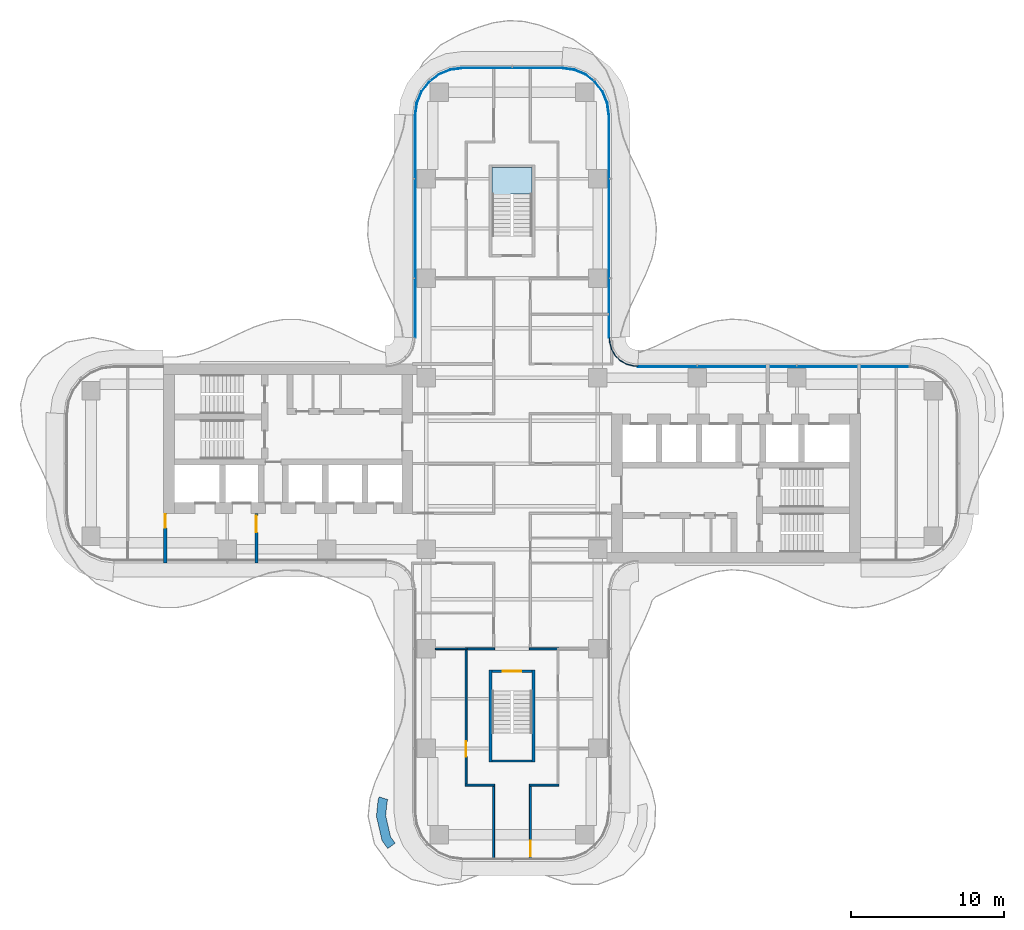
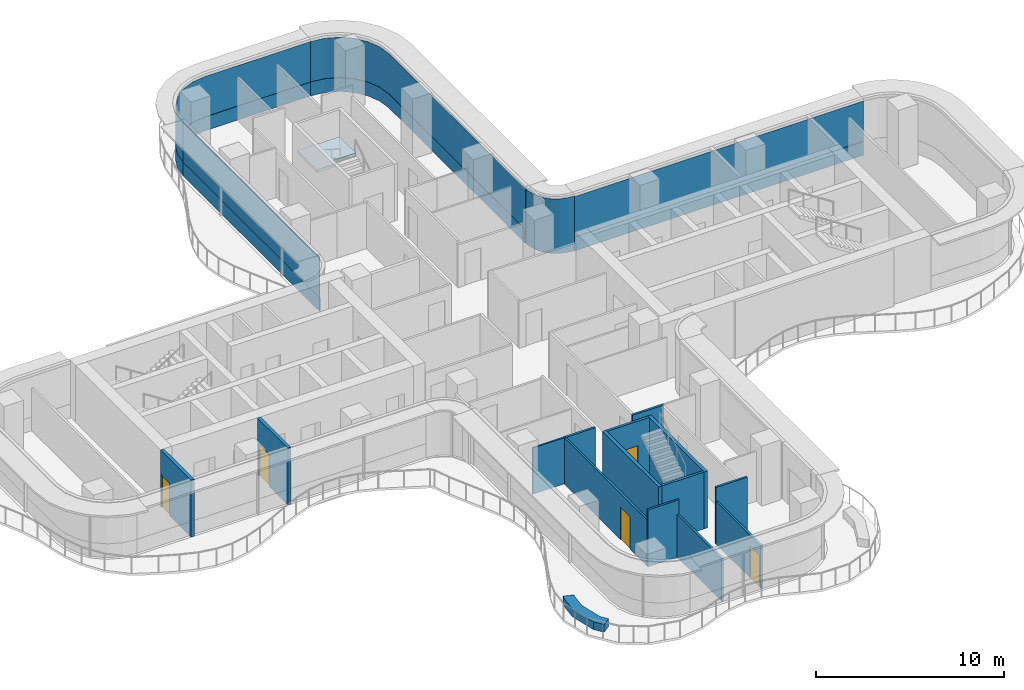
# One storey, part 12 of 18: 15 walls, 9 plates, 5 doors, 1 slab, 5 openings, 6 elements without a shape of their own.
"""IFC4 building model written with IfcOpenShell, lengths in metres."""

from ifc_helpers import new_model, si_unit, direction, frame, frame_2d, origin, place, context, subcontext, project, spatial, polyline, rectangle, outline, extrude, source, transform, mapped, material, layer, layer_set, type_object, element, fill, aggregate, save


model = new_model("IFC4")

# Units and contexts
model_context = context("Model", 3, precision=1e-05, world=origin(), true_north=direction((0.0, 1.0)))
body_context = subcontext(model_context, "Body", "Model", "MODEL_VIEW")
ifc_project = project(units=[si_unit("LENGTHUNIT", "METRE"), si_unit("AREAUNIT", "SQUARE_METRE"), si_unit("VOLUMEUNIT", "CUBIC_METRE"), si_unit("PLANEANGLEUNIT", "RADIAN"), si_unit("MASSUNIT", "GRAM", prefix="KILO")], contexts=[model_context])

# Site, building, storey
site_placement = place(None, origin())
site = spatial("IfcSite", under=ifc_project, at=site_placement, CompositionType="ELEMENT")
building_placement = place(site_placement, origin())
building = spatial("IfcBuilding", under=site, at=building_placement, Name="Trellis Farm Tower", CompositionType="ELEMENT")
storey_placement = place(building_placement, frame((0.0, 0.0, 177.60009765625)))
storey = spatial("IfcBuildingStorey", under=building, at=storey_placement, Name="L38", CompositionType="ELEMENT", Elevation=177.60009765625)

# Stair, slab
ifc_material_1 = material(Name="Concrete C50/60", Category="concrete")
stair_type = type_object("IfcStairType", Name="CORE EXIT STAIR 22 RISERS 177 MM", PredefinedType="HALF_TURN_STAIR", material=ifc_material_1)
placement_1 = place(storey_placement, origin())
stair = element("IfcStair", 1, at=placement_1, inside=storey, type_object=stair_type, Name="Exit stair N", PredefinedType="HALF_TURN_STAIR")
ifc_layer_1 = layer(ifc_material_1, 0.18994140625)
ifc_layer_set_1 = layer_set([ifc_layer_1], Name="CORE STAIR LANDING 190 CONCRETE C50/60")
slab_type = type_object("IfcSlabType", Name="CORE STAIR LANDING 190 CONCRETE C50/60", PredefinedType="LANDING", material=ifc_layer_set_1)
shared_shape_1 = source(origin(), body_context, "Body", "SweptSolid", [
    extrude(outline(polyline([(-0.10009765625, 17.27197265625), (-1.300048828125, 17.27197265625), (-1.300048828125, 17.60009765625), (-1.300048828125, 19.35009765625), (1.300048828125, 19.35009765625), (1.300048828125, 17.60009765625), (1.300048828125, 17.590087890625), (0.10009765625, 17.590087890625), (0.10009765625, 17.60009765625), (-0.10009765625, 17.60009765625), (-0.10009765625, 17.27197265625)])), origin(), (0.0, 0.0, 1.0), 0.18994140625),
])
slab_placement = place(storey_placement, frame((0.0, 0.0, 1.760009765625)))
slab = element("IfcSlab", 2, at=slab_placement, type_object=slab_type, Name="STN landing 1", PredefinedType="LANDING", context=body_context, shape_type="MappedRepresentation", body=[
    mapped(shared_shape_1, transform((0.0, 0.0, 0.0))),
])
aggregate(stair, [slab])

# Curtain wall, plate
ifc_material_2 = material(Name="Aluminium and glass curtain wall", Category="aluminium")
ifc_layer_2 = layer(ifc_material_2, 0.18994140625)
ifc_layer_set_2 = layer_set([ifc_layer_2], Name="RIBBON CURTAIN WALL CW1")
curtain_wall_type_1 = type_object("IfcCurtainWallType", Name="RIBBON CURTAIN WALL CW1", PredefinedType="NOTDEFINED", material=ifc_layer_set_2)
curtain_wall_1 = element("IfcCurtainWall", 3, at=placement_1, inside=storey, type_object=curtain_wall_type_1, Name="CW1 009", PredefinedType="NOTDEFINED")
ifc_material_3 = material(Name="Sandstone faced insulated panel", Category="masonry")
ifc_layer_3 = layer(ifc_material_3, 0.050048828125)
ifc_layer_set_3 = layer_set([ifc_layer_3], Name="CW1 STONE SPANDREL PANEL 50")
plate_type_1 = type_object("IfcPlateType", Name="CW1 STONE SPANDREL PANEL 50", PredefinedType="CURTAIN_PANEL", material=ifc_layer_set_3)
shared_shape_2 = source(origin(), body_context, "Body", "SweptSolid", [
    extrude(outline(polyline([(6.35009765625, 8.2265625), (6.35009765625, 22.740234375), (6.2431640625, 23.552001953125), (5.93359375, 24.29931640625), (5.441162109375, 24.941162109375), (4.79931640625, 25.43359375), (4.052001953125, 25.7431640625), (3.240234375, 25.85009765625), (3.23681640625, 25.800048828125), (4.0390625, 25.6943359375), (4.774169921875, 25.389892578125), (5.405517578125, 24.905517578125), (5.889892578125, 24.274169921875), (6.1943359375, 23.5390625), (6.300048828125, 22.73681640625), (6.300048828125, 8.224853515625), (6.35009765625, 8.2265625)])), origin(), (0.0, 0.0, 1.0), 0.89990234375),
])
plate_1 = element("IfcPlate", 4, at=placement_1, type_object=plate_type_1, Name="PS1 009", PredefinedType="CURTAIN_PANEL", context=body_context, shape_type="MappedRepresentation", body=[
    mapped(shared_shape_2, transform((0.0, 0.0, 0.0))),
])

curtain_wall_2 = element("IfcCurtainWall", 5, at=placement_1, inside=storey, type_object=curtain_wall_type_1, Name="CW1 011", PredefinedType="NOTDEFINED")
shared_shape_3 = source(origin(), body_context, "Body", "SweptSolid", [
    extrude(outline(polyline([(-6.35009765625, 22.740234375), (-6.35009765625, 8.2265625), (-6.300048828125, 8.224853515625), (-6.300048828125, 22.73681640625), (-6.35009765625, 22.740234375)])), origin(), (0.0, 0.0, 1.0), 0.89990234375),
])
plate_2 = element("IfcPlate", 6, at=placement_1, type_object=plate_type_1, Name="PS1 011", PredefinedType="CURTAIN_PANEL", context=body_context, shape_type="MappedRepresentation", body=[
    mapped(shared_shape_3, transform((0.0, 0.0, 0.0))),
])

curtain_wall_3 = element("IfcCurtainWall", 7, at=placement_1, inside=storey, type_object=curtain_wall_type_1, Name="CW1 010", PredefinedType="NOTDEFINED")
shared_shape_4 = source(origin(), body_context, "Body", "SweptSolid", [
    extrude(outline(polyline([(3.240234375, 25.85009765625), (-3.240234375, 25.85009765625), (-4.052001953125, 25.7431640625), (-4.79931640625, 25.43359375), (-5.441162109375, 24.941162109375), (-5.93359375, 24.29931640625), (-6.2431640625, 23.552001953125), (-6.35009765625, 22.740234375), (-6.300048828125, 22.73681640625), (-6.1943359375, 23.5390625), (-5.889892578125, 24.274169921875), (-5.405517578125, 24.905517578125), (-4.774169921875, 25.389892578125), (-4.0390625, 25.6943359375), (-3.23681640625, 25.800048828125), (3.23681640625, 25.800048828125), (3.240234375, 25.85009765625)])), origin(), (0.0, 0.0, 1.0), 0.89990234375),
])
plate_3 = element("IfcPlate", 8, at=placement_1, type_object=plate_type_1, Name="PS1 010", PredefinedType="CURTAIN_PANEL", context=body_context, shape_type="MappedRepresentation", body=[
    mapped(shared_shape_4, transform((0.0, 0.0, 0.0))),
])

# Curtain wall, plates
curtain_wall_4 = element("IfcCurtainWall", 9, at=placement_1, inside=storey, type_object=curtain_wall_type_1, Name="CW1 008", PredefinedType="NOTDEFINED")
shared_shape_5 = source(origin(), body_context, "Body", "SweptSolid", [
    extrude(outline(polyline([(25.990234375, 6.35009765625), (8.2265625, 6.35009765625), (8.224853515625, 6.300048828125), (25.98681640625, 6.300048828125), (25.990234375, 6.35009765625)])), origin(), (0.0, 0.0, 1.0), 0.89990234375),
])
plate_4 = element("IfcPlate", 10, at=placement_1, type_object=plate_type_1, Name="PS1 008", PredefinedType="CURTAIN_PANEL", context=body_context, shape_type="MappedRepresentation", body=[
    mapped(shared_shape_5, transform((0.0, 0.0, 0.0))),
])
ifc_material_4 = material(Name="Clear insulated glass", Category="glass")
ifc_layer_4 = layer(ifc_material_4, 0.0400390625)
ifc_layer_set_4 = layer_set([ifc_layer_4], Name="CW1 GLASS PANEL 40")
plate_type_2 = type_object("IfcPlateType", Name="CW1 GLASS PANEL 40", PredefinedType="CURTAIN_PANEL", material=ifc_layer_set_4)
shared_shape_6 = source(origin(), body_context, "Body", "SweptSolid", [
    extrude(outline(polyline([(25.990234375, 6.35009765625), (8.2265625, 6.35009765625), (8.22509765625, 6.31005859375), (25.987548828125, 6.31005859375), (25.990234375, 6.35009765625)])), origin(), (0.0, 0.0, 1.0), 2.6201171875),
])
placement_2 = place(storey_placement, frame((0.0, 0.0, 0.89990234375)))
plate_5 = element("IfcPlate", 11, at=placement_2, type_object=plate_type_2, Name="PL1 008", PredefinedType="CURTAIN_PANEL", context=body_context, shape_type="MappedRepresentation", body=[
    mapped(shared_shape_6, transform((0.0, 0.0, 0.0))),
])
aggregate(curtain_wall_4, [plate_5, plate_4])

# Plate
shared_shape_7 = source(origin(), body_context, "Body", "SweptSolid", [
    extrude(outline(polyline([(6.35009765625, 8.2265625), (6.35009765625, 22.740234375), (6.2431640625, 23.552001953125), (5.93359375, 24.29931640625), (5.441162109375, 24.941162109375), (4.79931640625, 25.43359375), (4.052001953125, 25.7431640625), (3.240234375, 25.85009765625), (3.237548828125, 25.81005859375), (4.04150390625, 25.7041015625), (4.779296875, 25.398681640625), (5.41259765625, 24.91259765625), (5.898681640625, 24.279296875), (6.2041015625, 23.54150390625), (6.31005859375, 22.737548828125), (6.31005859375, 8.22509765625), (6.35009765625, 8.2265625)])), origin(), (0.0, 0.0, 1.0), 2.6201171875),
])
plate_6 = element("IfcPlate", 12, at=placement_2, type_object=plate_type_2, Name="PL1 009", PredefinedType="CURTAIN_PANEL", context=body_context, shape_type="MappedRepresentation", body=[
    mapped(shared_shape_7, transform((0.0, 0.0, 0.0))),
])

aggregate(curtain_wall_1, [plate_6, plate_1])

shared_shape_8 = source(origin(), body_context, "Body", "SweptSolid", [
    extrude(outline(polyline([(3.240234375, 25.85009765625), (-3.240234375, 25.85009765625), (-4.052001953125, 25.7431640625), (-4.79931640625, 25.43359375), (-5.441162109375, 24.941162109375), (-5.93359375, 24.29931640625), (-6.2431640625, 23.552001953125), (-6.35009765625, 22.740234375), (-6.31005859375, 22.737548828125), (-6.2041015625, 23.54150390625), (-5.898681640625, 24.279296875), (-5.41259765625, 24.91259765625), (-4.779296875, 25.398681640625), (-4.04150390625, 25.7041015625), (-3.237548828125, 25.81005859375), (3.237548828125, 25.81005859375), (3.240234375, 25.85009765625)])), origin(), (0.0, 0.0, 1.0), 2.6201171875),
])
plate_7 = element("IfcPlate", 13, at=placement_2, type_object=plate_type_2, Name="PL1 010", PredefinedType="CURTAIN_PANEL", context=body_context, shape_type="MappedRepresentation", body=[
    mapped(shared_shape_8, transform((0.0, 0.0, 0.0))),
])

aggregate(curtain_wall_3, [plate_7, plate_3])

shared_shape_9 = source(origin(), body_context, "Body", "SweptSolid", [
    extrude(outline(polyline([(-6.35009765625, 22.740234375), (-6.35009765625, 8.2265625), (-6.31005859375, 8.22509765625), (-6.31005859375, 22.737548828125), (-6.35009765625, 22.740234375)])), origin(), (0.0, 0.0, 1.0), 2.6201171875),
])
plate_8 = element("IfcPlate", 14, at=placement_2, type_object=plate_type_2, Name="PL1 011", PredefinedType="CURTAIN_PANEL", context=body_context, shape_type="MappedRepresentation", body=[
    mapped(shared_shape_9, transform((0.0, 0.0, 0.0))),
])

aggregate(curtain_wall_2, [plate_8, plate_2])

# Curtain wall, plate
ifc_layer_5 = layer(ifc_material_2, 0.166015625)
ifc_layer_set_5 = layer_set([ifc_layer_5], Name="WINTER GARDEN CURTAIN WALL CW3")
curtain_wall_type_2 = type_object("IfcCurtainWallType", Name="WINTER GARDEN CURTAIN WALL CW3", PredefinedType="NOTDEFINED", material=ifc_layer_set_5)
curtain_wall_5 = element("IfcCurtainWall", 15, at=placement_1, inside=storey, type_object=curtain_wall_type_2, Name="CW3 003", PredefinedType="NOTDEFINED")
ifc_layer_6 = layer(ifc_material_4, 0.0458984375)
ifc_layer_set_6 = layer_set([ifc_layer_6], Name="CW3 GLASS PANEL 46")
plate_type_3 = type_object("IfcPlateType", Name="CW3 GLASS PANEL 46", PredefinedType="CURTAIN_PANEL", material=ifc_layer_set_6)
shared_shape_10 = source(origin(), body_context, "Body", "SweptSolid", [
    extrude(outline(polyline([(8.2275390625, 6.3798828125), (8.0078125, 6.394287109375), (7.89208984375, 6.40966796875), (7.462158203125, 6.52490234375), (7.070556640625, 6.7509765625), (6.7509765625, 7.070556640625), (6.52490234375, 7.462158203125), (6.40966796875, 7.89208984375), (6.394287109375, 8.0078125), (6.3798828125, 8.2275390625), (6.333984375, 8.22607421875), (6.3486328125, 8.003173828125), (6.364501953125, 7.883056640625), (6.48193359375, 7.4443359375), (6.714111328125, 7.04248046875), (7.04248046875, 6.714111328125), (7.4443359375, 6.48193359375), (7.883056640625, 6.364501953125), (8.003173828125, 6.3486328125), (8.22607421875, 6.333984375), (8.2275390625, 6.3798828125)])), origin(), (0.0, 0.0, 1.0), 3.5498046875),
])
plate_9 = element("IfcPlate", 16, at=placement_1, type_object=plate_type_3, Name="PL3 003", PredefinedType="CURTAIN_PANEL", context=body_context, shape_type="MappedRepresentation", body=[
    mapped(shared_shape_10, transform((0.0, 0.0, 0.0))),
])
aggregate(curtain_wall_5, [plate_9])

# Wall
ifc_material_5 = material(Name="Sandstone faced masonry planter", Category="masonry")
ifc_layer_7 = layer(ifc_material_5, 0.60009765625)
ifc_layer_set_7 = layer_set([ifc_layer_7], Name="PLANTER BED 600")
wall_type_1 = type_object("IfcWallType", Name="PLANTER BED 600", PredefinedType="USERDEFINED", material=ifc_layer_set_7)
element("IfcWall", 17, at=placement_1, inside=storey, type_object=wall_type_1, Name="PLANTER bed", ObjectType="PLANTER", PredefinedType="USERDEFINED", context=body_context, shape_type="SweptSolid", body=[
    extrude(outline(polyline([(-8.85888671875, -23.036865234375), (-8.752197265625, -21.977294921875), (-8.686279296875, -21.767578125), (-8.11376953125, -21.947509765625), (-8.161376953125, -22.0986328125), (-8.251953125, -22.998291015625), (-7.931396484375, -24.382568359375), (-7.63134765625, -24.79541015625), (-8.116455078125, -25.148193359375), (-8.48828125, -24.63671875), (-8.85888671875, -23.036865234375)])), origin(), (0.0, 0.0, 1.0), 0.5),
])

# Wall, opening, door
ifc_material_6 = material(Name="Masonry blockwork", Category="masonry")
ifc_layer_8 = layer(ifc_material_6, 0.199951171875)
ifc_layer_set_8 = layer_set([ifc_layer_8], Name="FIRE LOBBY PARTITION 200 BLOCKWORK")
wall_type_2 = type_object("IfcWallType", Name="FIRE LOBBY PARTITION 200 BLOCKWORK", PredefinedType="PARTITIONING", material=ifc_layer_set_8)
shared_shape_11 = source(origin(), body_context, "Body", "SweptSolid", [
    extrude(rectangle(XDim=3.25, YDim=0.199951171875, at=frame_2d((1.625, 0.0))), origin(), (0.0, 0.0, 1.0), 3.699951171875),
])
wall_2_placement = place(storey_placement, frame((-16.699951171875, -3.25, 0.0), z_axis=(0.0, 0.0, 1.0), x_axis=(0.0, -1.0, 0.0)))
wall_2 = element("IfcWall", 18, at=wall_2_placement, inside=storey, type_object=wall_type_2, Name="Fire-fighting lobby partition", PredefinedType="PARTITIONING", context=body_context, shape_type="MappedRepresentation", body=[
    mapped(shared_shape_11, transform((0.0, 0.0, 0.0))),
])
shared_shape_12 = source(origin(), body_context, "Body", "SweptSolid", [
    extrude(rectangle(XDim=1.10009765625, YDim=2.10009765625, at=frame_2d((0.550048828125, 1.050048828125))), frame((0.0, 0.110107421875, 0.0), z_axis=(0.0, -1.0, 0.0), x_axis=(1.0, 0.0, 0.0)), (0.0, 0.0, 1.0), 0.22021484375),
])
opening_1_placement = place(wall_2_placement, frame((0.14990234375, 0.0, 0.0)))
opening_1 = element("IfcOpeningElement", 19, at=opening_1_placement, cuts=wall_2, Name="Opening DC93", PredefinedType="OPENING", context=body_context, shape_type="MappedRepresentation", body=[
    mapped(shared_shape_12, transform((0.0, 0.0, 0.0))),
])
ifc_material_7 = material(Name="Steel", Category="steel")
door_type_1 = type_object("IfcDoorType", Name="CORE FIRE DOOR 1100 X 2100", OperationType="NOTDEFINED", PredefinedType="DOOR", material=ifc_material_7)
shared_shape_13 = source(origin(), body_context, "Body", "SweptSolid", [
    extrude(rectangle(XDim=1.10009765625, YDim=2.10009765625, at=frame_2d((0.550048828125, 1.050048828125))), frame((0.0, 0.02490234375, 0.0), z_axis=(0.0, -1.0, 0.0), x_axis=(1.0, 0.0, 0.0)), (0.0, 0.0, 1.0), 0.050048828125),
])
door_1_placement = place(opening_1_placement, origin())
door_1 = element("IfcDoor", 20, at=door_1_placement, inside=storey, type_object=door_type_1, Name="Core door", OperationType="SINGLE_SWING_RIGHT", OverallHeight=2.10009765625, OverallWidth=1.10009765625, PredefinedType="DOOR", context=body_context, shape_type="MappedRepresentation", body=[
    mapped(shared_shape_13, transform((0.0, 0.0, 0.0))),
])
fill(opening_1, door_1)

wall_3_placement = place(storey_placement, frame((-22.64990234375, -3.25, 0.0), z_axis=(0.0, 0.0, 1.0), x_axis=(0.0, -1.0, 0.0)))
wall_3 = element("IfcWall", 21, at=wall_3_placement, inside=storey, type_object=wall_type_2, Name="Fire-fighting lobby partition", PredefinedType="PARTITIONING", context=body_context, shape_type="MappedRepresentation", body=[
    mapped(shared_shape_11, transform((0.0, 0.0, 0.0))),
])
shared_shape_14 = source(origin(), body_context, "Body", "SweptSolid", [
    extrude(rectangle(XDim=0.89990234375, YDim=2.10009765625, at=frame_2d((0.449951171875, 1.050048828125))), frame((0.0, 0.110107421875, 0.0), z_axis=(0.0, -1.0, 0.0), x_axis=(1.0, 0.0, 0.0)), (0.0, 0.0, 1.0), 0.22021484375),
])
opening_2_placement = place(wall_3_placement, frame((0.050048828125, 0.0, 0.0)))
opening_2 = element("IfcOpeningElement", 22, at=opening_2_placement, cuts=wall_3, Name="Opening DC94", PredefinedType="OPENING", context=body_context, shape_type="MappedRepresentation", body=[
    mapped(shared_shape_14, transform((0.0, 0.0, 0.0))),
])
door_type_2 = type_object("IfcDoorType", Name="CORE FIRE DOOR 900 X 2100", OperationType="NOTDEFINED", PredefinedType="DOOR", material=ifc_material_7)
shared_shape_15 = source(origin(), body_context, "Body", "SweptSolid", [
    extrude(rectangle(XDim=0.89990234375, YDim=2.10009765625, at=frame_2d((0.449951171875, 1.050048828125))), frame((0.0, 0.02490234375, 0.0), z_axis=(0.0, -1.0, 0.0), x_axis=(1.0, 0.0, 0.0)), (0.0, 0.0, 1.0), 0.050048828125),
])
door_2_placement = place(opening_2_placement, origin())
door_2 = element("IfcDoor", 23, at=door_2_placement, inside=storey, type_object=door_type_2, Name="Core door", OperationType="SINGLE_SWING_RIGHT", OverallHeight=2.10009765625, OverallWidth=0.89990234375, PredefinedType="DOOR", context=body_context, shape_type="MappedRepresentation", body=[
    mapped(shared_shape_15, transform((0.0, 0.0, 0.0))),
])
fill(opening_2, door_2)

# Walls
ifc_material_8 = material(Name="Concrete C70/85", Category="concrete")
ifc_layer_9 = layer(ifc_material_8, 0.199951171875)
ifc_layer_set_9 = layer_set([ifc_layer_9], Name="CORE STAIR ENCLOSURE WALL 200 CONCRETE C70/85")
wall_type_3 = type_object("IfcWallType", Name="CORE STAIR ENCLOSURE WALL 200 CONCRETE C70/85", PredefinedType="SHEAR", material=ifc_layer_set_9)
shared_shape_16 = source(origin(), body_context, "Body", "SweptSolid", [
    extrude(rectangle(XDim=6.0, YDim=0.199951171875, at=frame_2d((3.0, 0.0))), origin(), (0.0, 0.0, 1.0), 3.699951171875),
])
for number, where, z_axis, x_axis, name in (
    (24, (1.39990234375, -13.5, 0.0), (0.0, 0.0, 1.0), (0.0, -1.0, 0.0), "Stair enclosure wall"),
    (25, (-1.39990234375, -13.5, 0.0), (0.0, 0.0, 1.0), (0.0, -1.0, 0.0), "Stair enclosure wall"),
):
    element("IfcWall", number, at=place(storey_placement, frame(where, z_axis=z_axis, x_axis=x_axis)), inside=storey, type_object=wall_type_3, Name=name, PredefinedType="SHEAR", context=body_context, shape_type="MappedRepresentation", body=[
        mapped(shared_shape_16, transform((0.0, 0.0, 0.0))),
    ])

# Wall, opening, door
ifc_layer_10 = layer(ifc_material_8, 0.14990234375)
ifc_layer_set_10 = layer_set([ifc_layer_10], Name="CORE STAIR ENCLOSURE WALL 150 CONCRETE C70/85")
wall_type_4 = type_object("IfcWallType", Name="CORE STAIR ENCLOSURE WALL 150 CONCRETE C70/85", PredefinedType="SHEAR", material=ifc_layer_set_10)
shared_shape_17 = source(origin(), body_context, "Body", "SweptSolid", [
    extrude(rectangle(XDim=2.60009765625, YDim=0.14990234375, at=frame_2d((1.300048828125, 0.0))), origin(), (0.0, 0.0, 1.0), 3.699951171875),
])
wall_4_placement = place(storey_placement, frame((1.300048828125, -13.574951171875, 0.0), z_axis=(0.0, 0.0, 1.0), x_axis=(-1.0, 0.0, 0.0)))
wall_4 = element("IfcWall", 26, at=wall_4_placement, inside=storey, type_object=wall_type_4, Name="Stair enclosure wall", PredefinedType="SHEAR", context=body_context, shape_type="MappedRepresentation", body=[
    mapped(shared_shape_17, transform((0.0, 0.0, 0.0))),
])
shared_shape_18 = source(origin(), body_context, "Body", "SweptSolid", [
    extrude(rectangle(XDim=1.199951171875, YDim=2.10009765625, at=frame_2d((0.60009765625, 1.050048828125))), frame((0.0, 0.0849609375, 0.0), z_axis=(0.0, -1.0, 0.0), x_axis=(1.0, 0.0, 0.0)), (0.0, 0.0, 1.0), 0.169921875),
])
opening_3_placement = place(wall_4_placement, frame((0.699951171875, 0.0, 0.0)))
opening_3 = element("IfcOpeningElement", 27, at=opening_3_placement, cuts=wall_4, Name="Opening DC174", PredefinedType="OPENING", context=body_context, shape_type="MappedRepresentation", body=[
    mapped(shared_shape_18, transform((0.0, 0.0, 0.0))),
])
door_type_3 = type_object("IfcDoorType", Name="CORE FIRE DOOR 1200 X 2100", OperationType="NOTDEFINED", PredefinedType="DOOR", material=ifc_material_7)
shared_shape_19 = source(origin(), body_context, "Body", "SweptSolid", [
    extrude(rectangle(XDim=1.199951171875, YDim=2.10009765625, at=frame_2d((0.60009765625, 1.050048828125))), frame((0.0, 0.02490234375, 0.0), z_axis=(0.0, -1.0, 0.0), x_axis=(1.0, 0.0, 0.0)), (0.0, 0.0, 1.0), 0.050048828125),
])
door_3_placement = place(opening_3_placement, origin())
door_3 = element("IfcDoor", 28, at=door_3_placement, inside=storey, type_object=door_type_3, Name="Core door", OperationType="SINGLE_SWING_RIGHT", OverallHeight=2.10009765625, OverallWidth=1.199951171875, PredefinedType="DOOR", context=body_context, shape_type="MappedRepresentation", body=[
    mapped(shared_shape_19, transform((0.0, 0.0, 0.0))),
])
fill(opening_3, door_3)

# Walls
wall_5_placement = place(storey_placement, frame((1.300048828125, -19.425048828125, 0.0), z_axis=(0.0, 0.0, 1.0), x_axis=(-1.0, 0.0, 0.0)))
element("IfcWall", 29, at=wall_5_placement, inside=storey, type_object=wall_type_4, Name="Stair enclosure wall", PredefinedType="SHEAR", context=body_context, shape_type="MappedRepresentation", body=[
    mapped(shared_shape_17, transform((0.0, 0.0, 0.0))),
])
ifc_material_9 = material(Name="Plasterboard on steel studs", Category="steel")
ifc_layer_11 = layer(ifc_material_9, 0.10009765625)
ifc_layer_set_11 = layer_set([ifc_layer_11], Name="PARTITION 100 STUD EI 30")
wall_type_5 = type_object("IfcWallType", Name="PARTITION 100 STUD EI 30", PredefinedType="PARTITIONING", material=ifc_layer_set_11)
shared_shape_20 = source(origin(), body_context, "Body", "SweptSolid", [
    extrude(rectangle(XDim=2.0625, YDim=0.10009765625, at=frame_2d((1.03125, 0.0))), origin(), (0.0, 0.0, 1.0), 2.99658203125),
])
wall_6_placement = place(storey_placement, frame((-5.0, -12.10009765625, 0.0), z_axis=(0.0, 0.0, 1.0), x_axis=(1.0, 0.0, 0.0)))
element("IfcWall", 30, at=wall_6_placement, inside=storey, type_object=wall_type_5, Name="Partition PW2", PredefinedType="PARTITIONING", context=body_context, shape_type="MappedRepresentation", body=[
    mapped(shared_shape_20, transform((0.0, 0.0, 0.0))),
])

# Wall, opening, door
ifc_material_10 = material(Name="Plasterboard on steel studs, mineral wool", Category="steel")
ifc_layer_12 = layer(ifc_material_10, 0.125)
ifc_layer_set_12 = layer_set([ifc_layer_12], Name="PARTITION 125 STUD EI 60")
wall_type_6 = type_object("IfcWallType", Name="PARTITION 125 STUD EI 60", PredefinedType="PARTITIONING", material=ifc_layer_set_12)
shared_shape_21 = source(origin(), body_context, "Body", "SweptSolid", [
    extrude(rectangle(XDim=8.78759765625, YDim=0.125, at=frame_2d((4.393798828125, 0.0))), origin(), (0.0, 0.0, 1.0), 2.99658203125),
])
wall_7_placement = place(storey_placement, frame((-3.0, -20.9375, 0.0), z_axis=(0.0, 0.0, 1.0), x_axis=(0.0, 1.0, 0.0)))
wall_7 = element("IfcWall", 31, at=wall_7_placement, inside=storey, type_object=wall_type_6, Name="Partition PW1", PredefinedType="PARTITIONING", context=body_context, shape_type="MappedRepresentation", body=[
    mapped(shared_shape_21, transform((0.0, 0.0, 0.0))),
])
shared_shape_22 = source(origin(), body_context, "Body", "SweptSolid", [
    extrude(rectangle(XDim=1.0, YDim=2.10009765625, at=frame_2d((0.5, 1.050048828125))), frame((0.0, 0.072509765625, 0.0), z_axis=(0.0, -1.0, 0.0), x_axis=(1.0, 0.0, 0.0)), (0.0, 0.0, 1.0), 0.14501953125),
])
opening_4_placement = place(wall_7_placement, frame((1.78759765625, 0.0, 0.0)))
opening_4 = element("IfcOpeningElement", 32, at=opening_4_placement, cuts=wall_7, Name="Opening D102", PredefinedType="OPENING", context=body_context, shape_type="MappedRepresentation", body=[
    mapped(shared_shape_22, transform((0.0, 0.0, 0.0))),
])
ifc_material_11 = material(Name="Fire-rated timber door leaf in a hollow metal frame", Category="wood")
door_type_4 = type_object("IfcDoorType", Name="DOOR 1000x2100 FD30S", OperationType="NOTDEFINED", PredefinedType="DOOR", material=ifc_material_11)
shared_shape_23 = source(origin(), body_context, "Body", "SweptSolid", [
    extrude(rectangle(XDim=1.0, YDim=2.10009765625, at=frame_2d((0.5, 1.050048828125))), frame((0.0, 0.02490234375, 0.0), z_axis=(0.0, -1.0, 0.0), x_axis=(1.0, 0.0, 0.0)), (0.0, 0.0, 1.0), 0.050048828125),
])
door_4_placement = place(opening_4_placement, origin())
door_4 = element("IfcDoor", 33, at=door_4_placement, inside=storey, type_object=door_type_4, Name="Door D102", OperationType="SINGLE_SWING_LEFT", OverallHeight=2.10009765625, OverallWidth=1.0, PredefinedType="DOOR", context=body_context, shape_type="MappedRepresentation", body=[
    mapped(shared_shape_23, transform((0.0, 0.0, 0.0))),
])
fill(opening_4, door_4)

# Walls
shared_shape_24 = source(origin(), body_context, "Body", "SweptSolid", [
    extrude(rectangle(XDim=1.925048828125, YDim=0.125, at=frame_2d((0.96240234375, 0.0))), origin(), (0.0, 0.0, 1.0), 3.699951171875),
])
for number, where, z_axis, x_axis, name in (
    (34, (-1.137451171875, -21.0, 0.0), (0.0, 0.0, 1.0), (-1.0, 0.0, 0.0), "Partition PW1"),
    (35, (3.0625, -21.0, 0.0), (0.0, 0.0, 1.0), (-1.0, 0.0, 0.0), "Partition PW1"),
):
    element("IfcWall", number, at=place(storey_placement, frame(where, z_axis=z_axis, x_axis=x_axis)), inside=storey, type_object=wall_type_6, Name=name, PredefinedType="PARTITIONING", context=body_context, shape_type="MappedRepresentation", body=[
        mapped(shared_shape_24, transform((0.0, 0.0, 0.0))),
    ])
shared_shape_25 = source(origin(), body_context, "Body", "SweptSolid", [
    extrude(rectangle(XDim=1.925048828125, YDim=0.125, at=frame_2d((0.96240234375, 0.0))), origin(), (0.0, 0.0, 1.0), 2.99658203125),
])
for number, where, z_axis, x_axis, name in (
    (36, (-3.0625, -12.10009765625, 0.0), (0.0, 0.0, 1.0), (1.0, 0.0, 0.0), "Partition PW1"),
    (37, (1.137451171875, -12.10009765625, 0.0), (0.0, 0.0, 1.0), (1.0, 0.0, 0.0), "Partition PW1"),
):
    element("IfcWall", number, at=place(storey_placement, frame(where, z_axis=z_axis, x_axis=x_axis)), inside=storey, type_object=wall_type_6, Name=name, PredefinedType="PARTITIONING", context=body_context, shape_type="MappedRepresentation", body=[
        mapped(shared_shape_25, transform((0.0, 0.0, 0.0))),
    ])
shared_shape_26 = source(origin(), body_context, "Body", "SweptSolid", [
    extrude(rectangle(XDim=4.737548828125, YDim=0.125, at=frame_2d((2.36865234375, 0.0))), origin(), (0.0, 0.0, 1.0), 2.77978515625),
])
wall_8_placement = place(storey_placement, frame((-1.199951171875, -21.0625, 0.0), z_axis=(0.0, 0.0, 1.0), x_axis=(0.0, -1.0, 0.0)))
element("IfcWall", 38, at=wall_8_placement, inside=storey, type_object=wall_type_6, Name="Partition PW1", PredefinedType="PARTITIONING", context=body_context, shape_type="MappedRepresentation", body=[
    mapped(shared_shape_26, transform((0.0, 0.0, 0.0))),
])

# Wall, opening, door
wall_9_placement = place(storey_placement, frame((1.199951171875, -21.0625, 0.0), z_axis=(0.0, 0.0, 1.0), x_axis=(0.0, -1.0, 0.0)))
wall_9 = element("IfcWall", 39, at=wall_9_placement, inside=storey, type_object=wall_type_6, Name="Partition PW1", PredefinedType="PARTITIONING", context=body_context, shape_type="MappedRepresentation", body=[
    mapped(shared_shape_26, transform((0.0, 0.0, 0.0))),
])
opening_5_placement = place(wall_9_placement, frame((3.58740234375, 0.0, 0.0)))
opening_5 = element("IfcOpeningElement", 40, at=opening_5_placement, cuts=wall_9, Name="Opening D101", PredefinedType="OPENING", context=body_context, shape_type="MappedRepresentation", body=[
    mapped(shared_shape_22, transform((0.0, 0.0, 0.0))),
])
door_5_placement = place(opening_5_placement, origin())
door_5 = element("IfcDoor", 41, at=door_5_placement, inside=storey, type_object=door_type_4, Name="Door D101", OperationType="SINGLE_SWING_RIGHT", OverallHeight=2.10009765625, OverallWidth=1.0, PredefinedType="DOOR", context=body_context, shape_type="MappedRepresentation", body=[
    mapped(shared_shape_23, transform((0.0, 0.0, 0.0))),
])
fill(opening_5, door_5)

save(model, "model.ifc")
